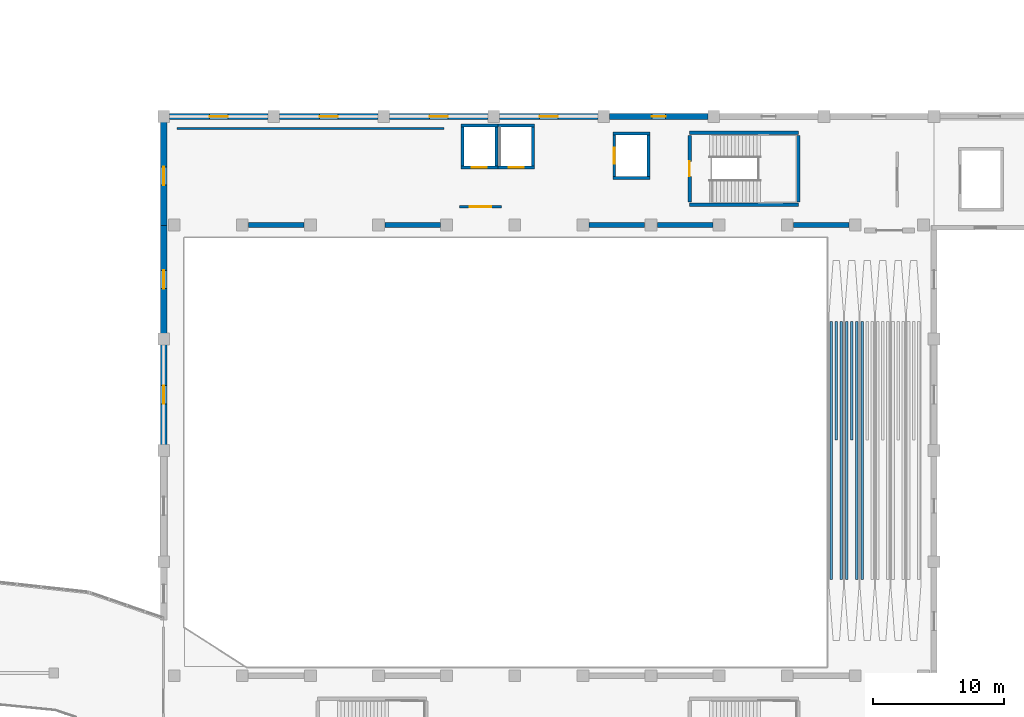
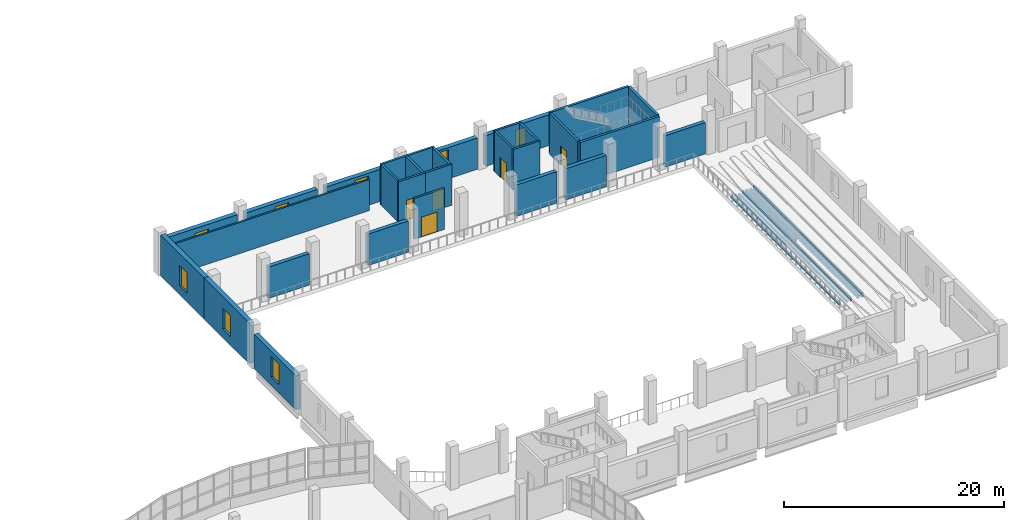
# One storey, part 61 of 77: 37 walls, 8 windows, 5 doors, 13 openings.
"""IFC4 building model written with IfcOpenShell, lengths in metres."""

from ifc_helpers import new_model, si_unit, direction, frame, frame_2d, origin, place, context, subcontext, project, spatial, rectangle, extrude, material, layer, layer_set, type_object, element, fill, save


model = new_model("IFC4")

# Units and contexts
model_context = context("Model", 3, precision=1e-05, world=origin(), true_north=direction((0.0, 1.0)))
body_context = subcontext(model_context, "Body", "Model", "MODEL_VIEW")
ifc_project = project(units=[si_unit("LENGTHUNIT", "METRE"), si_unit("AREAUNIT", "SQUARE_METRE"), si_unit("VOLUMEUNIT", "CUBIC_METRE"), si_unit("PLANEANGLEUNIT", "RADIAN"), si_unit("MASSUNIT", "GRAM", prefix="KILO")], contexts=[model_context])

# Site, building, storey
site_placement = place(None, origin())
site = spatial("IfcSite", under=ifc_project, at=site_placement, CompositionType="ELEMENT")
building_placement = place(site_placement, origin())
building = spatial("IfcBuilding", under=site, at=building_placement, Name="Solvento Point Concert Hall", CompositionType="ELEMENT")
storey_placement = place(building_placement, frame((0.0, 0.0, 10.199951171875)))
storey = spatial("IfcBuildingStorey", under=building, at=storey_placement, Name="L02", CompositionType="ELEMENT", Elevation=10.199951171875)

# Wall
ifc_material_1 = material(Name="Acoustic Double-Stud Gypsum Partition")
ifc_layer_1 = layer(ifc_material_1, 0.179931640625)
ifc_layer_set_1 = layer_set([ifc_layer_1], Name="Acoustic Double-Stud Gypsum Partition")
wall_type_1 = type_object("IfcWallType", Name="AcousticPartition_180", PredefinedType="PARTITIONING", material=ifc_layer_set_1)
wall_1_placement = place(storey_placement, frame((75.419921875, 92.580078125, 0.0), z_axis=(0.0, 0.0, 1.0), x_axis=(1.0, 0.0, 0.0)))
element("IfcWall", 1, at=wall_1_placement, inside=storey, type_object=wall_type_1, Name="Interior acoustic partition PW-63 L02", PredefinedType="PARTITIONING", context=body_context, shape_type="SweptSolid", body=[
    extrude(rectangle(XDim=20.360107421875, YDim=0.179931640625, at=frame_2d((10.18017578125, 0.0))), origin(), (0.0, 0.0, 1.0), 3.4599609375),
])

# Wall, opening, door
ifc_material_2 = material(Name="Acoustic Double-Stud Gypsum Partition")
ifc_layer_2 = layer(ifc_material_2, 0.2080078125)
ifc_layer_set_2 = layer_set([ifc_layer_2], Name="Acoustic Double-Stud Gypsum Partition")
wall_type_2 = type_object("IfcWallType", Name="AcousticPartition_208", PredefinedType="PARTITIONING", material=ifc_layer_set_2)
wall_2_placement = place(storey_placement, frame((97.0, 86.60009765625, 0.0), z_axis=(0.0, 0.0, 1.0), x_axis=(1.0, 0.0, 0.0)))
wall_2 = element("IfcWall", 2, at=wall_2_placement, inside=storey, type_object=wall_type_2, Name="Lift lobby partition LP-01 L02", PredefinedType="PARTITIONING", context=body_context, shape_type="SweptSolid", body=[
    extrude(rectangle(XDim=3.199951171875, YDim=0.2080078125, at=frame_2d((1.60009765625, 0.0))), origin(), (0.0, 0.0, 1.0), 4.5400390625),
])
opening_1_placement = place(wall_2_placement, frame((0.77490234375, 0.0, 0.0)))
opening_1 = element("IfcOpeningElement", 3, at=opening_1_placement, cuts=wall_2, Name="Opening D-FL1", PredefinedType="OPENING", context=body_context, shape_type="SweptSolid", body=[
    extrude(rectangle(XDim=1.64990234375, YDim=2.199951171875, at=frame_2d((0.824951171875, 1.10009765625))), frame((0.0, 0.114013671875, 0.0), z_axis=(0.0, -1.0, 0.0), x_axis=(1.0, 0.0, 0.0)), (0.0, 0.0, 1.0), 0.22802734375),
])
ifc_material_3 = material(Name="Hollow Metal Acoustic Fire Door")
door_type_1 = type_object("IfcDoorType", Name="FireLobbyDoor_1600", OperationType="DOUBLE_DOOR_SINGLE_SWING", PredefinedType="DOOR", material=ifc_material_3)
door_1_placement = place(opening_1_placement, origin())
door_1 = element("IfcDoor", 4, at=door_1_placement, inside=storey, type_object=door_type_1, Name="Lift lobby door LP-01 L02", OperationType="DOUBLE_DOOR_SINGLE_SWING", OverallHeight=2.199951171875, OverallWidth=1.64990234375, PredefinedType="DOOR", context=body_context, shape_type="SweptSolid", body=[
    extrude(rectangle(XDim=1.64990234375, YDim=2.199951171875, at=frame_2d((0.824951171875, 1.10009765625))), frame((0.0, 0.02490234375, 0.0), z_axis=(0.0, -1.0, 0.0), x_axis=(1.0, 0.0, 0.0)), (0.0, 0.0, 1.0), 0.050048828125),
])
fill(opening_1, door_1)

# Walls
ifc_material_4 = material(Name="Concrete C40/50", Category="concrete")
ifc_layer_3 = layer(ifc_material_4, 0.300048828125)
ifc_layer_set_3 = layer_set([ifc_layer_3], Name="Concrete C40/50")
wall_type_3 = type_object("IfcWallType", Name="CoreShearWall_300", PredefinedType="SHEAR", material=ifc_layer_set_3)
for number, where, z_axis, x_axis, name in (
    (5, (122.85009765625, 86.75, 0.0), (0.0, 0.0, 1.0), (-1.0, 0.0, 0.0), "Stair core shear wall W-SH1 ST-03 L02"),
    (6, (114.550048828125, 92.25, 0.0), (0.0, 0.0, 1.0), (1.0, 0.0, 0.0), "Stair core shear wall W-SH1 ST-03 L02"),
):
    element("IfcWall", number, at=place(storey_placement, frame(where, z_axis=z_axis, x_axis=x_axis)), inside=storey, type_object=wall_type_3, Name=name, PredefinedType="SHEAR", context=body_context, shape_type="SweptSolid", body=[
        extrude(rectangle(XDim=8.300048828125, YDim=0.25, at=frame_2d((4.14990234375, 0.0))), origin(), (0.0, 0.0, 1.0), 4.5400390625),
    ])

# Wall, opening, door
wall_3_placement = place(storey_placement, frame((114.550048828125, 86.949951171875, 0.0), z_axis=(0.0, 0.0, 1.0), x_axis=(0.0, 1.0, 0.0)))
wall_3 = element("IfcWall", 7, at=wall_3_placement, inside=storey, type_object=wall_type_3, Name="Stair core shear wall W-SH1 ST-03 L02", PredefinedType="SHEAR", context=body_context, shape_type="SweptSolid", body=[
    extrude(rectangle(XDim=5.10009765625, YDim=0.25, at=frame_2d((2.550048828125, 0.0))), origin(), (0.0, 0.0, 1.0), 4.5400390625),
])
opening_2_placement = place(wall_3_placement, frame((1.97509765625, 0.0, 0.0)))
opening_2 = element("IfcOpeningElement", 8, at=opening_2_placement, cuts=wall_3, Name="Opening D-ST1", PredefinedType="OPENING", context=body_context, shape_type="SweptSolid", body=[
    extrude(rectangle(XDim=1.14990234375, YDim=2.179931640625, at=frame_2d((0.574951171875, 1.08984375))), frame((0.0, 0.135009765625, 0.0), z_axis=(0.0, -1.0, 0.0), x_axis=(1.0, 0.0, 0.0)), (0.0, 0.0, 1.0), 0.27001953125),
])
ifc_material_5 = material(Name="Hollow Metal Acoustic Fire Door")
door_type_2 = type_object("IfcDoorType", Name="StairFireDoor_1150", OperationType="NOTDEFINED", PredefinedType="DOOR", material=ifc_material_5)
door_2_placement = place(opening_2_placement, origin())
door_2 = element("IfcDoor", 9, at=door_2_placement, inside=storey, type_object=door_type_2, Name="Protected exit stair door ST-03 L02", OperationType="SINGLE_SWING_RIGHT", OverallHeight=2.179931640625, OverallWidth=1.14990234375, PredefinedType="DOOR", context=body_context, shape_type="SweptSolid", body=[
    extrude(rectangle(XDim=1.14990234375, YDim=2.179931640625, at=frame_2d((0.574951171875, 1.08984375))), frame((0.0, 0.02490234375, 0.0), z_axis=(0.0, -1.0, 0.0), x_axis=(1.0, 0.0, 0.0)), (0.0, 0.0, 1.0), 0.050048828125),
])
fill(opening_2, door_2)

# Walls
wall_4_placement = place(storey_placement, frame((122.85009765625, 92.050048828125, 0.0), z_axis=(0.0, 0.0, 1.0), x_axis=(0.0, -1.0, 0.0)))
element("IfcWall", 10, at=wall_4_placement, inside=storey, type_object=wall_type_3, Name="Stair core shear wall W-SH1 ST-03 L02", PredefinedType="SHEAR", context=body_context, shape_type="SweptSolid", body=[
    extrude(rectangle(XDim=5.10009765625, YDim=0.25, at=frame_2d((2.550048828125, 0.0))), origin(), (0.0, 0.0, 1.0), 4.5400390625),
])
for number, where, z_axis, x_axis, name in (
    (11, (108.68994140625, 88.800048828125, 0.0), (0.0, 0.0, 1.0), (1.0, 0.0, 0.0), "Elevator shaft shear wall W-SH1 LF-02 L02"),
    (12, (108.68994140625, 92.199951171875, 0.0), (0.0, 0.0, 1.0), (1.0, 0.0, 0.0), "Elevator shaft shear wall W-SH1 LF-02 L02"),
):
    element("IfcWall", number, at=place(storey_placement, frame(where, z_axis=z_axis, x_axis=x_axis)), inside=storey, type_object=wall_type_3, Name=name, PredefinedType="SHEAR", context=body_context, shape_type="SweptSolid", body=[
        extrude(rectangle(XDim=2.820068359375, YDim=0.219970703125, at=frame_2d((1.41015625, 0.0))), origin(), (0.0, 0.0, 1.0), 4.5400390625),
    ])

# Wall, opening, door
wall_5_placement = place(storey_placement, frame((108.800048828125, 88.909912109375, 0.0), z_axis=(0.0, 0.0, 1.0), x_axis=(0.0, 1.0, 0.0)))
wall_5 = element("IfcWall", 13, at=wall_5_placement, inside=storey, type_object=wall_type_3, Name="Elevator shaft shear wall W-SH1 LF-02 L02", PredefinedType="SHEAR", context=body_context, shape_type="SweptSolid", body=[
    extrude(rectangle(XDim=3.18017578125, YDim=0.219970703125, at=frame_2d((1.590087890625, 0.0))), origin(), (0.0, 0.0, 1.0), 4.5400390625),
])
opening_3_placement = place(wall_5_placement, frame((0.989990234375, 0.0, 0.0)))
opening_3 = element("IfcOpeningElement", 14, at=opening_3_placement, cuts=wall_5, Name="Opening LD-01", PredefinedType="OPENING", context=body_context, shape_type="SweptSolid", body=[
    extrude(rectangle(XDim=1.199951171875, YDim=2.25, at=frame_2d((0.60009765625, 1.125))), frame((0.0, 0.119873046875, 0.0), z_axis=(0.0, -1.0, 0.0), x_axis=(1.0, 0.0, 0.0)), (0.0, 0.0, 1.0), 0.239990234375),
])
ifc_material_6 = material(Name="Hollow Metal Acoustic Fire Door")
door_type_3 = type_object("IfcDoorType", Name="LiftLandingDoor_FF", OperationType="SLIDING_TO_LEFT", PredefinedType="DOOR", material=ifc_material_6)
door_3_placement = place(opening_3_placement, origin())
door_3 = element("IfcDoor", 15, at=door_3_placement, inside=storey, type_object=door_type_3, Name="Elevator landing door LF-02 L02", OperationType="SLIDING_TO_LEFT", OverallHeight=2.25, OverallWidth=1.199951171875, PredefinedType="DOOR", context=body_context, shape_type="SweptSolid", body=[
    extrude(rectangle(XDim=1.199951171875, YDim=2.25, at=frame_2d((0.60009765625, 1.125))), frame((0.0, 0.02490234375, 0.0), z_axis=(0.0, -1.0, 0.0), x_axis=(1.0, 0.0, 0.0)), (0.0, 0.0, 1.0), 0.050048828125),
])
fill(opening_3, door_3)

# Wall
wall_6_placement = place(storey_placement, frame((111.39990234375, 88.909912109375, 0.0), z_axis=(0.0, 0.0, 1.0), x_axis=(0.0, 1.0, 0.0)))
element("IfcWall", 16, at=wall_6_placement, inside=storey, type_object=wall_type_3, Name="Elevator shaft shear wall W-SH1 LF-02 L02", PredefinedType="SHEAR", context=body_context, shape_type="SweptSolid", body=[
    extrude(rectangle(XDim=3.18017578125, YDim=0.219970703125, at=frame_2d((1.590087890625, 0.0))), origin(), (0.0, 0.0, 1.0), 4.5400390625),
])

# Wall, opening, door
wall_7_placement = place(storey_placement, frame((97.090087890625, 89.60009765625, 0.0), z_axis=(0.0, 0.0, 1.0), x_axis=(1.0, 0.0, 0.0)))
wall_7 = element("IfcWall", 17, at=wall_7_placement, inside=storey, type_object=wall_type_3, Name="Elevator shaft shear wall W-SH1 LP-01 L02", PredefinedType="SHEAR", context=body_context, shape_type="SweptSolid", body=[
    extrude(rectangle(XDim=2.81982421875, YDim=0.219970703125, at=frame_2d((1.409912109375, 0.0))), origin(), (0.0, 0.0, 1.0), 4.5400390625),
])
opening_4_placement = place(wall_7_placement, frame((0.8349609375, 0.0, 0.0)))
opening_4 = element("IfcOpeningElement", 18, at=opening_4_placement, cuts=wall_7, Name="Opening LD-02", PredefinedType="OPENING", context=body_context, shape_type="SweptSolid", body=[
    extrude(rectangle(XDim=1.14990234375, YDim=2.199951171875, at=frame_2d((0.574951171875, 1.10009765625))), frame((0.0, 0.119873046875, 0.0), z_axis=(0.0, -1.0, 0.0), x_axis=(1.0, 0.0, 0.0)), (0.0, 0.0, 1.0), 0.239990234375),
])
ifc_material_7 = material(Name="Hollow Metal Acoustic Fire Door")
door_type_4 = type_object("IfcDoorType", Name="LiftLandingDoor_Pass", OperationType="SLIDING_TO_LEFT", PredefinedType="DOOR", material=ifc_material_7)
door_4_placement = place(opening_4_placement, origin())
door_4 = element("IfcDoor", 19, at=door_4_placement, inside=storey, type_object=door_type_4, Name="Elevator landing door LP-01 L02", OperationType="SLIDING_TO_LEFT", OverallHeight=2.199951171875, OverallWidth=1.14990234375, PredefinedType="DOOR", context=body_context, shape_type="SweptSolid", body=[
    extrude(rectangle(XDim=1.14990234375, YDim=2.199951171875, at=frame_2d((0.574951171875, 1.10009765625))), frame((0.0, 0.02490234375, 0.0), z_axis=(0.0, -1.0, 0.0), x_axis=(1.0, 0.0, 0.0)), (0.0, 0.0, 1.0), 0.050048828125),
])
fill(opening_4, door_4)

# Walls
wall_8_placement = place(storey_placement, frame((97.090087890625, 92.800048828125, 0.0), z_axis=(0.0, 0.0, 1.0), x_axis=(1.0, 0.0, 0.0)))
element("IfcWall", 20, at=wall_8_placement, inside=storey, type_object=wall_type_3, Name="Elevator shaft shear wall W-SH1 LP-01 L02", PredefinedType="SHEAR", context=body_context, shape_type="SweptSolid", body=[
    extrude(rectangle(XDim=2.81982421875, YDim=0.219970703125, at=frame_2d((1.409912109375, 0.0))), origin(), (0.0, 0.0, 1.0), 4.5400390625),
])
for number, where, z_axis, x_axis, name in (
    (21, (97.199951171875, 89.7099609375, 0.0), (0.0, 0.0, 1.0), (0.0, 1.0, 0.0), "Elevator shaft shear wall W-SH1 LP-01 L02"),
    (22, (99.800048828125, 89.7099609375, 0.0), (0.0, 0.0, 1.0), (0.0, 1.0, 0.0), "Elevator shaft shear wall W-SH1 LP-01 L02"),
):
    element("IfcWall", number, at=place(storey_placement, frame(where, z_axis=z_axis, x_axis=x_axis)), inside=storey, type_object=wall_type_3, Name=name, PredefinedType="SHEAR", context=body_context, shape_type="SweptSolid", body=[
        extrude(rectangle(XDim=2.97998046875, YDim=0.219970703125, at=frame_2d((1.489990234375, 0.0))), origin(), (0.0, 0.0, 1.0), 4.5400390625),
    ])

# Wall, opening, door
wall_9_placement = place(storey_placement, frame((99.909912109375, 89.60009765625, 0.0), z_axis=(0.0, 0.0, 1.0), x_axis=(1.0, 0.0, 0.0)))
wall_9 = element("IfcWall", 23, at=wall_9_placement, inside=storey, type_object=wall_type_3, Name="Elevator shaft shear wall W-SH1 LP-02 L02", PredefinedType="SHEAR", context=body_context, shape_type="SweptSolid", body=[
    extrude(rectangle(XDim=2.800048828125, YDim=0.219970703125, at=frame_2d((1.39990234375, 0.0))), origin(), (0.0, 0.0, 1.0), 4.5400390625),
])
opening_5_placement = place(wall_9_placement, frame((0.81494140625, 0.0, 0.0)))
opening_5 = element("IfcOpeningElement", 24, at=opening_5_placement, cuts=wall_9, Name="Opening LD-02", PredefinedType="OPENING", context=body_context, shape_type="SweptSolid", body=[
    extrude(rectangle(XDim=1.14990234375, YDim=2.199951171875, at=frame_2d((0.574951171875, 1.10009765625))), frame((0.0, 0.119873046875, 0.0), z_axis=(0.0, -1.0, 0.0), x_axis=(1.0, 0.0, 0.0)), (0.0, 0.0, 1.0), 0.239990234375),
])
door_5_placement = place(opening_5_placement, origin())
door_5 = element("IfcDoor", 25, at=door_5_placement, inside=storey, type_object=door_type_4, Name="Elevator landing door LP-02 L02", OperationType="SLIDING_TO_LEFT", OverallHeight=2.199951171875, OverallWidth=1.14990234375, PredefinedType="DOOR", context=body_context, shape_type="SweptSolid", body=[
    extrude(rectangle(XDim=1.14990234375, YDim=2.199951171875, at=frame_2d((0.574951171875, 1.10009765625))), frame((0.0, 0.02490234375, 0.0), z_axis=(0.0, -1.0, 0.0), x_axis=(1.0, 0.0, 0.0)), (0.0, 0.0, 1.0), 0.050048828125),
])
fill(opening_5, door_5)

# Walls
wall_10_placement = place(storey_placement, frame((99.909912109375, 92.800048828125, 0.0), z_axis=(0.0, 0.0, 1.0), x_axis=(1.0, 0.0, 0.0)))
element("IfcWall", 26, at=wall_10_placement, inside=storey, type_object=wall_type_3, Name="Elevator shaft shear wall W-SH1 LP-02 L02", PredefinedType="SHEAR", context=body_context, shape_type="SweptSolid", body=[
    extrude(rectangle(XDim=2.800048828125, YDim=0.219970703125, at=frame_2d((1.39990234375, 0.0))), origin(), (0.0, 0.0, 1.0), 4.5400390625),
])
wall_11_placement = place(storey_placement, frame((102.60009765625, 89.7099609375, 0.0), z_axis=(0.0, 0.0, 1.0), x_axis=(0.0, 1.0, 0.0)))
element("IfcWall", 27, at=wall_11_placement, inside=storey, type_object=wall_type_3, Name="Elevator shaft shear wall W-SH1 LP-02 L02", PredefinedType="SHEAR", context=body_context, shape_type="SweptSolid", body=[
    extrude(rectangle(XDim=2.97998046875, YDim=0.219970703125, at=frame_2d((1.489990234375, 0.0))), origin(), (0.0, 0.0, 1.0), 4.5400390625),
])
ifc_material_8 = material(Name="Concrete C40/50", Category="concrete")
ifc_layer_4 = layer(ifc_material_8, 0.39990234375)
ifc_layer_set_4 = layer_set([ifc_layer_4], Name="Concrete C40/50")
wall_type_4 = type_object("IfcWallType", Name="DrumShearWall_400", PredefinedType="SHEAR", material=ifc_layer_set_4)
wall_12_placement = place(storey_placement, frame((80.8798828125, 85.199951171875, 0.0), z_axis=(0.0, 0.0, 1.0), x_axis=(1.0, 0.0, 0.0)))
element("IfcWall", 28, at=wall_12_placement, inside=storey, type_object=wall_type_4, Name="Symphonic acoustic drum shear wall W-DR1 L02", PredefinedType="SHEAR", context=body_context, shape_type="SweptSolid", body=[
    extrude(rectangle(XDim=4.240234375, YDim=0.39990234375, at=frame_2d((2.1201171875, 0.0))), origin(), (0.0, 0.0, 1.0), 3.489990234375),
])
wall_13_placement = place(storey_placement, frame((91.280029296875, 85.199951171875, 0.0), z_axis=(0.0, 0.0, 1.0), x_axis=(1.0, 0.0, 0.0)))
element("IfcWall", 29, at=wall_13_placement, inside=storey, type_object=wall_type_4, Name="Symphonic acoustic drum shear wall W-DR1 L02", PredefinedType="SHEAR", context=body_context, shape_type="SweptSolid", body=[
    extrude(rectangle(XDim=4.239990234375, YDim=0.39990234375, at=frame_2d((2.1201171875, 0.0))), origin(), (0.0, 0.0, 1.0), 3.489990234375),
])
wall_14_placement = place(storey_placement, frame((106.8798828125, 85.199951171875, 0.0), z_axis=(0.0, 0.0, 1.0), x_axis=(1.0, 0.0, 0.0)))
element("IfcWall", 30, at=wall_14_placement, inside=storey, type_object=wall_type_4, Name="Symphonic acoustic drum shear wall W-DR1 L02", PredefinedType="SHEAR", context=body_context, shape_type="SweptSolid", body=[
    extrude(rectangle(XDim=4.240234375, YDim=0.39990234375, at=frame_2d((2.1201171875, 0.0))), origin(), (0.0, 0.0, 1.0), 3.489990234375),
])
for number, where, z_axis, x_axis, name in (
    (31, (112.080078125, 85.199951171875, 0.0), (0.0, 0.0, 1.0), (1.0, 0.0, 0.0), "Symphonic acoustic drum shear wall W-DR1 L02"),
    (32, (122.47998046875, 85.199951171875, 0.0), (0.0, 0.0, 1.0), (1.0, 0.0, 0.0), "Symphonic acoustic drum shear wall W-DR1 L02"),
):
    element("IfcWall", number, at=place(storey_placement, frame(where, z_axis=z_axis, x_axis=x_axis)), inside=storey, type_object=wall_type_4, Name=name, PredefinedType="SHEAR", context=body_context, shape_type="SweptSolid", body=[
        extrude(rectangle(XDim=4.239990234375, YDim=0.39990234375, at=frame_2d((2.1201171875, 0.0))), origin(), (0.0, 0.0, 1.0), 3.489990234375),
    ])

# Wall, opening, window
ifc_material_9 = material(Name="Concrete C40/50", Category="concrete")
ifc_layer_5 = layer(ifc_material_9, 0.47998046875)
ifc_layer_set_5 = layer_set([ifc_layer_5], Name="Concrete C40/50")
wall_type_5 = type_object("IfcWallType", Name="ExtWall_V1_Drum_480", PredefinedType="SOLIDWALL", material=ifc_layer_set_5)
wall_15_placement = place(storey_placement, frame((74.39990234375, 68.429931640625, 0.0), z_axis=(0.0, 0.0, 1.0), x_axis=(0.0, 1.0, 0.0)))
wall_15 = element("IfcWall", 33, at=wall_15_placement, inside=storey, type_object=wall_type_5, Name="Exterior architectural concrete wall EW-46 L02", PredefinedType="SOLIDWALL", context=body_context, shape_type="SweptSolid", body=[
    extrude(rectangle(XDim=7.64013671875, YDim=0.47998046875, at=frame_2d((3.820068359375, 0.0))), origin(), (0.0, 0.0, 1.0), 3.795166015625),
])
opening_6_placement = place(wall_15_placement, frame((3.1201171875, 0.0, 0.949951171875)))
opening_6 = element("IfcOpeningElement", 34, at=opening_6_placement, cuts=wall_15, Name="Opening WN-33", PredefinedType="OPENING", context=body_context, shape_type="SweptSolid", body=[
    extrude(rectangle(XDim=1.39990234375, YDim=2.300048828125, at=frame_2d((0.699951171875, 1.14990234375))), frame((0.0, 0.25, 0.0), z_axis=(0.0, -1.0, 0.0), x_axis=(1.0, 0.0, 0.0)), (0.0, 0.0, 1.0), 0.5),
])
ifc_material_10 = material(Name="Hurricane Laminated Low-E Glass", Category="glass")
window_type_1 = type_object("IfcWindowType", Name="Win_V1_ParterreSlot_L02", PartitioningType="SINGLE_PANEL", PredefinedType="WINDOW", material=ifc_material_10)
window_1_placement = place(opening_6_placement, origin())
window_1 = element("IfcWindow", 35, at=window_1_placement, inside=storey, type_object=window_type_1, Name="Impact acoustic window WN-33", OverallHeight=2.300048828125, OverallWidth=1.39990234375, PartitioningType="SINGLE_PANEL", PredefinedType="WINDOW", context=body_context, shape_type="SweptSolid", body=[
    extrude(rectangle(XDim=1.39990234375, YDim=2.300048828125, at=frame_2d((0.699951171875, 1.14990234375))), frame((0.0, 0.030029296875, 0.0), z_axis=(0.0, -1.0, 0.0), x_axis=(1.0, 0.0, 0.0)), (0.0, 0.0, 1.0), 0.06005859375),
])
fill(opening_6, window_1)

wall_16_placement = place(storey_placement, frame((74.39990234375, 76.929931640625, 0.0), z_axis=(0.0, 0.0, 1.0), x_axis=(0.0, 1.0, 0.0)))
wall_16 = element("IfcWall", 36, at=wall_16_placement, inside=storey, type_object=wall_type_5, Name="Exterior architectural concrete wall EW-46 L02", PredefinedType="SOLIDWALL", context=body_context, shape_type="SweptSolid", body=[
    extrude(rectangle(XDim=8.22998046875, YDim=0.47998046875, at=frame_2d((4.114990234375, 0.0))), origin(), (0.0, 0.0, 1.0), 4.5400390625),
])
opening_7_placement = place(wall_16_placement, frame((3.4150390625, 0.0, 0.949951171875)))
opening_7 = element("IfcOpeningElement", 37, at=opening_7_placement, cuts=wall_16, Name="Opening WN-33", PredefinedType="OPENING", context=body_context, shape_type="SweptSolid", body=[
    extrude(rectangle(XDim=1.39990234375, YDim=2.300048828125, at=frame_2d((0.699951171875, 1.14990234375))), frame((0.0, 0.25, 0.0), z_axis=(0.0, -1.0, 0.0), x_axis=(1.0, 0.0, 0.0)), (0.0, 0.0, 1.0), 0.5),
])
window_2_placement = place(opening_7_placement, origin())
window_2 = element("IfcWindow", 38, at=window_2_placement, inside=storey, type_object=window_type_1, Name="Impact acoustic window WN-33", OverallHeight=2.300048828125, OverallWidth=1.39990234375, PartitioningType="SINGLE_PANEL", PredefinedType="WINDOW", context=body_context, shape_type="SweptSolid", body=[
    extrude(rectangle(XDim=1.39990234375, YDim=2.300048828125, at=frame_2d((0.699951171875, 1.14990234375))), frame((0.0, 0.030029296875, 0.0), z_axis=(0.0, -1.0, 0.0), x_axis=(1.0, 0.0, 0.0)), (0.0, 0.0, 1.0), 0.06005859375),
])
fill(opening_7, window_2)

wall_17_placement = place(storey_placement, frame((74.39990234375, 84.840087890625, 0.0), z_axis=(0.0, 0.0, 1.0), x_axis=(0.0, 1.0, 0.0)))
wall_17 = element("IfcWall", 39, at=wall_17_placement, inside=storey, type_object=wall_type_5, Name="Exterior architectural concrete wall EW-46 L02", PredefinedType="SOLIDWALL", context=body_context, shape_type="SweptSolid", body=[
    extrude(rectangle(XDim=8.22998046875, YDim=0.47998046875, at=frame_2d((4.114990234375, 0.0))), origin(), (0.0, 0.0, 1.0), 4.5400390625),
])
opening_8_placement = place(wall_17_placement, frame((3.4150390625, 0.0, 0.949951171875)))
opening_8 = element("IfcOpeningElement", 40, at=opening_8_placement, cuts=wall_17, Name="Opening WN-33", PredefinedType="OPENING", context=body_context, shape_type="SweptSolid", body=[
    extrude(rectangle(XDim=1.39990234375, YDim=2.300048828125, at=frame_2d((0.699951171875, 1.14990234375))), frame((0.0, 0.25, 0.0), z_axis=(0.0, -1.0, 0.0), x_axis=(1.0, 0.0, 0.0)), (0.0, 0.0, 1.0), 0.5),
])
window_3_placement = place(opening_8_placement, origin())
window_3 = element("IfcWindow", 41, at=window_3_placement, inside=storey, type_object=window_type_1, Name="Impact acoustic window WN-33", OverallHeight=2.300048828125, OverallWidth=1.39990234375, PartitioningType="SINGLE_PANEL", PredefinedType="WINDOW", context=body_context, shape_type="SweptSolid", body=[
    extrude(rectangle(XDim=1.39990234375, YDim=2.300048828125, at=frame_2d((0.699951171875, 1.14990234375))), frame((0.0, 0.030029296875, 0.0), z_axis=(0.0, -1.0, 0.0), x_axis=(1.0, 0.0, 0.0)), (0.0, 0.0, 1.0), 0.06005859375),
])
fill(opening_8, window_3)

wall_18_placement = place(storey_placement, frame((74.830078125, 93.5, 0.0), z_axis=(0.0, 0.0, 1.0), x_axis=(1.0, 0.0, 0.0)))
wall_18 = element("IfcWall", 42, at=wall_18_placement, inside=storey, type_object=wall_type_5, Name="Exterior architectural concrete wall EW-46 L02", PredefinedType="SOLIDWALL", context=body_context, shape_type="SweptSolid", body=[
    extrude(rectangle(XDim=7.5400390625, YDim=0.47998046875, at=frame_2d((3.77001953125, 0.0))), origin(), (0.0, 0.0, 1.0), 3.795166015625),
])
opening_9_placement = place(wall_18_placement, frame((3.070068359375, 0.0, 0.949951171875)))
opening_9 = element("IfcOpeningElement", 43, at=opening_9_placement, cuts=wall_18, Name="Opening WN-33", PredefinedType="OPENING", context=body_context, shape_type="SweptSolid", body=[
    extrude(rectangle(XDim=1.39990234375, YDim=2.300048828125, at=frame_2d((0.699951171875, 1.14990234375))), frame((0.0, 0.25, 0.0), z_axis=(0.0, -1.0, 0.0), x_axis=(1.0, 0.0, 0.0)), (0.0, 0.0, 1.0), 0.5),
])
window_4_placement = place(opening_9_placement, origin())
window_4 = element("IfcWindow", 44, at=window_4_placement, inside=storey, type_object=window_type_1, Name="Impact acoustic window WN-33", OverallHeight=2.300048828125, OverallWidth=1.39990234375, PartitioningType="SINGLE_PANEL", PredefinedType="WINDOW", context=body_context, shape_type="SweptSolid", body=[
    extrude(rectangle(XDim=1.39990234375, YDim=2.300048828125, at=frame_2d((0.699951171875, 1.14990234375))), frame((0.0, 0.030029296875, 0.0), z_axis=(0.0, -1.0, 0.0), x_axis=(1.0, 0.0, 0.0)), (0.0, 0.0, 1.0), 0.06005859375),
])
fill(opening_9, window_4)

wall_19_placement = place(storey_placement, frame((83.22998046875, 93.5, 0.0), z_axis=(0.0, 0.0, 1.0), x_axis=(1.0, 0.0, 0.0)))
wall_19 = element("IfcWall", 45, at=wall_19_placement, inside=storey, type_object=wall_type_5, Name="Exterior architectural concrete wall EW-46 L02", PredefinedType="SOLIDWALL", context=body_context, shape_type="SweptSolid", body=[
    extrude(rectangle(XDim=7.5400390625, YDim=0.47998046875, at=frame_2d((3.77001953125, 0.0))), origin(), (0.0, 0.0, 1.0), 3.651123046875),
])
opening_10_placement = place(wall_19_placement, frame((3.070068359375, 0.0, 0.949951171875)))
opening_10 = element("IfcOpeningElement", 46, at=opening_10_placement, cuts=wall_19, Name="Opening WN-33", PredefinedType="OPENING", context=body_context, shape_type="SweptSolid", body=[
    extrude(rectangle(XDim=1.39990234375, YDim=2.300048828125, at=frame_2d((0.699951171875, 1.14990234375))), frame((0.0, 0.25, 0.0), z_axis=(0.0, -1.0, 0.0), x_axis=(1.0, 0.0, 0.0)), (0.0, 0.0, 1.0), 0.5),
])
window_5_placement = place(opening_10_placement, origin())
window_5 = element("IfcWindow", 47, at=window_5_placement, inside=storey, type_object=window_type_1, Name="Impact acoustic window WN-33", OverallHeight=2.300048828125, OverallWidth=1.39990234375, PartitioningType="SINGLE_PANEL", PredefinedType="WINDOW", context=body_context, shape_type="SweptSolid", body=[
    extrude(rectangle(XDim=1.39990234375, YDim=2.300048828125, at=frame_2d((0.699951171875, 1.14990234375))), frame((0.0, 0.030029296875, 0.0), z_axis=(0.0, -1.0, 0.0), x_axis=(1.0, 0.0, 0.0)), (0.0, 0.0, 1.0), 0.06005859375),
])
fill(opening_10, window_5)

wall_20_placement = place(storey_placement, frame((91.6298828125, 93.5, 0.0), z_axis=(0.0, 0.0, 1.0), x_axis=(1.0, 0.0, 0.0)))
wall_20 = element("IfcWall", 48, at=wall_20_placement, inside=storey, type_object=wall_type_5, Name="Exterior architectural concrete wall EW-46 L02", PredefinedType="SOLIDWALL", context=body_context, shape_type="SweptSolid", body=[
    extrude(rectangle(XDim=7.5400390625, YDim=0.47998046875, at=frame_2d((3.77001953125, 0.0))), origin(), (0.0, 0.0, 1.0), 3.573974609375),
])
opening_11_placement = place(wall_20_placement, frame((3.070068359375, 0.0, 0.949951171875)))
opening_11 = element("IfcOpeningElement", 49, at=opening_11_placement, cuts=wall_20, Name="Opening WN-33", PredefinedType="OPENING", context=body_context, shape_type="SweptSolid", body=[
    extrude(rectangle(XDim=1.39990234375, YDim=2.300048828125, at=frame_2d((0.699951171875, 1.14990234375))), frame((0.0, 0.25, 0.0), z_axis=(0.0, -1.0, 0.0), x_axis=(1.0, 0.0, 0.0)), (0.0, 0.0, 1.0), 0.5),
])
window_6_placement = place(opening_11_placement, origin())
window_6 = element("IfcWindow", 50, at=window_6_placement, inside=storey, type_object=window_type_1, Name="Impact acoustic window WN-33", OverallHeight=2.300048828125, OverallWidth=1.39990234375, PartitioningType="SINGLE_PANEL", PredefinedType="WINDOW", context=body_context, shape_type="SweptSolid", body=[
    extrude(rectangle(XDim=1.39990234375, YDim=2.300048828125, at=frame_2d((0.699951171875, 1.14990234375))), frame((0.0, 0.030029296875, 0.0), z_axis=(0.0, -1.0, 0.0), x_axis=(1.0, 0.0, 0.0)), (0.0, 0.0, 1.0), 0.06005859375),
])
fill(opening_11, window_6)

wall_21_placement = place(storey_placement, frame((100.030029296875, 93.5, 0.0), z_axis=(0.0, 0.0, 1.0), x_axis=(1.0, 0.0, 0.0)))
wall_21 = element("IfcWall", 51, at=wall_21_placement, inside=storey, type_object=wall_type_5, Name="Exterior architectural concrete wall EW-46 L02", PredefinedType="SOLIDWALL", context=body_context, shape_type="SweptSolid", body=[
    extrude(rectangle(XDim=7.5400390625, YDim=0.47998046875, at=frame_2d((3.77001953125, 0.0))), origin(), (0.0, 0.0, 1.0), 3.485107421875),
])
opening_12_placement = place(wall_21_placement, frame((3.070068359375, 0.0, 0.949951171875)))
opening_12 = element("IfcOpeningElement", 52, at=opening_12_placement, cuts=wall_21, Name="Opening WN-33", PredefinedType="OPENING", context=body_context, shape_type="SweptSolid", body=[
    extrude(rectangle(XDim=1.39990234375, YDim=2.300048828125, at=frame_2d((0.699951171875, 1.14990234375))), frame((0.0, 0.25, 0.0), z_axis=(0.0, -1.0, 0.0), x_axis=(1.0, 0.0, 0.0)), (0.0, 0.0, 1.0), 0.5),
])
window_7_placement = place(opening_12_placement, origin())
window_7 = element("IfcWindow", 53, at=window_7_placement, inside=storey, type_object=window_type_1, Name="Impact acoustic window WN-33", OverallHeight=2.300048828125, OverallWidth=1.39990234375, PartitioningType="SINGLE_PANEL", PredefinedType="WINDOW", context=body_context, shape_type="SweptSolid", body=[
    extrude(rectangle(XDim=1.39990234375, YDim=2.300048828125, at=frame_2d((0.699951171875, 1.14990234375))), frame((0.0, 0.030029296875, 0.0), z_axis=(0.0, -1.0, 0.0), x_axis=(1.0, 0.0, 0.0)), (0.0, 0.0, 1.0), 0.06005859375),
])
fill(opening_12, window_7)

wall_22_placement = place(storey_placement, frame((108.429931640625, 93.5, 0.0), z_axis=(0.0, 0.0, 1.0), x_axis=(1.0, 0.0, 0.0)))
wall_22 = element("IfcWall", 54, at=wall_22_placement, inside=storey, type_object=wall_type_5, Name="Exterior architectural concrete wall EW-46 L02", PredefinedType="SOLIDWALL", context=body_context, shape_type="SweptSolid", body=[
    extrude(rectangle(XDim=7.5400390625, YDim=0.47998046875, at=frame_2d((3.77001953125, 0.0))), origin(), (0.0, 0.0, 1.0), 3.4169921875),
])
opening_13_placement = place(wall_22_placement, frame((3.2451171875, 0.0, 0.949951171875)))
opening_13 = element("IfcOpeningElement", 55, at=opening_13_placement, cuts=wall_22, Name="Opening WN-89", PredefinedType="OPENING", context=body_context, shape_type="SweptSolid", body=[
    extrude(rectangle(XDim=1.050048828125, YDim=1.800048828125, at=frame_2d((0.52490234375, 0.89990234375))), frame((0.0, 0.25, 0.0), z_axis=(0.0, -1.0, 0.0), x_axis=(1.0, 0.0, 0.0)), (0.0, 0.0, 1.0), 0.5),
])
ifc_material_11 = material(Name="Hurricane Laminated Low-E Glass", Category="glass")
window_type_2 = type_object("IfcWindowType", Name="Win_NarrowPier_1050", PartitioningType="SINGLE_PANEL", PredefinedType="WINDOW", material=ifc_material_11)
window_8_placement = place(opening_13_placement, origin())
window_8 = element("IfcWindow", 56, at=window_8_placement, inside=storey, type_object=window_type_2, Name="Impact acoustic window WN-89", OverallHeight=1.800048828125, OverallWidth=1.050048828125, PartitioningType="SINGLE_PANEL", PredefinedType="WINDOW", context=body_context, shape_type="SweptSolid", body=[
    extrude(rectangle(XDim=1.050048828125, YDim=1.800048828125, at=frame_2d((0.52490234375, 0.89990234375))), frame((0.0, 0.030029296875, 0.0), z_axis=(0.0, -1.0, 0.0), x_axis=(1.0, 0.0, 0.0)), (0.0, 0.0, 1.0), 0.06005859375),
])
fill(opening_13, window_8)

# Walls
ifc_material_12 = material(Name="Concrete C35/45", Category="concrete")
ifc_layer_6 = layer(ifc_material_12, 0.25)
ifc_layer_set_6 = layer_set([ifc_layer_6], Name="Concrete C35/45")
wall_type_6 = type_object("IfcWallType", Name="TierSupportWall_250", PredefinedType="SHEAR", material=ifc_layer_set_6)
for number, where, z_axis, x_axis, name in (
    (57, (125.360107421875, 58.139892578125, 0.0), (0.0, 0.0, 1.0), (0.0, 1.0, 0.0), "Seating tier riser support wall W-TR1 TIER-L02-PAR-01"),
    (58, (126.139892578125, 58.139892578125, 0.0), (0.0, 0.0, 1.0), (0.0, 1.0, 0.0), "Seating tier rear support wall W-TR1 TIER-L02-PAR-01"),
):
    element("IfcWall", number, at=place(storey_placement, frame(where, z_axis=z_axis, x_axis=x_axis)), inside=storey, type_object=wall_type_6, Name=name, PredefinedType="SHEAR", context=body_context, shape_type="SweptSolid", body=[
        extrude(rectangle(XDim=19.72021484375, YDim=0.199951171875, at=frame_2d((9.860107421875, 0.0))), origin(), (0.0, 0.0, 1.0), 0.18994140625),
    ])
wall_23_placement = place(storey_placement, frame((125.75, 68.800048828125, 0.0), z_axis=(0.0, 0.0, 1.0), x_axis=(0.0, 1.0, 0.0)))
element("IfcWall", 59, at=wall_23_placement, inside=storey, type_object=wall_type_6, Name="Seating tier spine support wall W-TR1 TIER-L02-PAR-01", PredefinedType="SHEAR", context=body_context, shape_type="SweptSolid", body=[
    extrude(rectangle(XDim=9.06005859375, YDim=0.179931640625, at=frame_2d((4.530029296875, 0.0))), origin(), (0.0, 0.0, 1.0), 0.18994140625),
])
for number, where, z_axis, x_axis, name in (
    (60, (126.5400390625, 58.139892578125, 0.0), (0.0, 0.0, 1.0), (0.0, 1.0, 0.0), "Seating tier riser support wall W-TR1 TIER-L02-PAR-02"),
    (61, (127.320068359375, 58.139892578125, 0.0), (0.0, 0.0, 1.0), (0.0, 1.0, 0.0), "Seating tier rear support wall W-TR1 TIER-L02-PAR-02"),
):
    element("IfcWall", number, at=place(storey_placement, frame(where, z_axis=z_axis, x_axis=x_axis)), inside=storey, type_object=wall_type_6, Name=name, PredefinedType="SHEAR", context=body_context, shape_type="SweptSolid", body=[
        extrude(rectangle(XDim=19.72021484375, YDim=0.199951171875, at=frame_2d((9.860107421875, 0.0))), origin(), (0.0, 0.0, 1.0), 0.3701171875),
    ])
wall_24_placement = place(storey_placement, frame((126.929931640625, 68.800048828125, 0.0), z_axis=(0.0, 0.0, 1.0), x_axis=(0.0, 1.0, 0.0)))
element("IfcWall", 62, at=wall_24_placement, inside=storey, type_object=wall_type_6, Name="Seating tier spine support wall W-TR1 TIER-L02-PAR-02", PredefinedType="SHEAR", context=body_context, shape_type="SweptSolid", body=[
    extrude(rectangle(XDim=9.06005859375, YDim=0.179931640625, at=frame_2d((4.530029296875, 0.0))), origin(), (0.0, 0.0, 1.0), 0.3701171875),
])
wall_25_placement = place(storey_placement, frame((127.719970703125, 58.139892578125, 0.0), z_axis=(0.0, 0.0, 1.0), x_axis=(0.0, 1.0, 0.0)))
element("IfcWall", 63, at=wall_25_placement, inside=storey, type_object=wall_type_6, Name="Seating tier riser support wall W-TR1 TIER-L02-PAR-03", PredefinedType="SHEAR", context=body_context, shape_type="SweptSolid", body=[
    extrude(rectangle(XDim=19.72021484375, YDim=0.199951171875, at=frame_2d((9.860107421875, 0.0))), origin(), (0.0, 0.0, 1.0), 0.550048828125),
])

save(model, "model.ifc")
